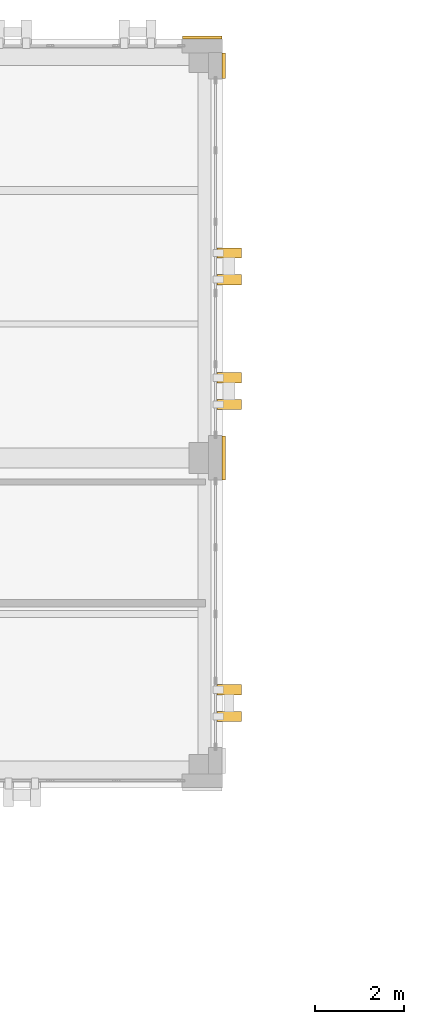
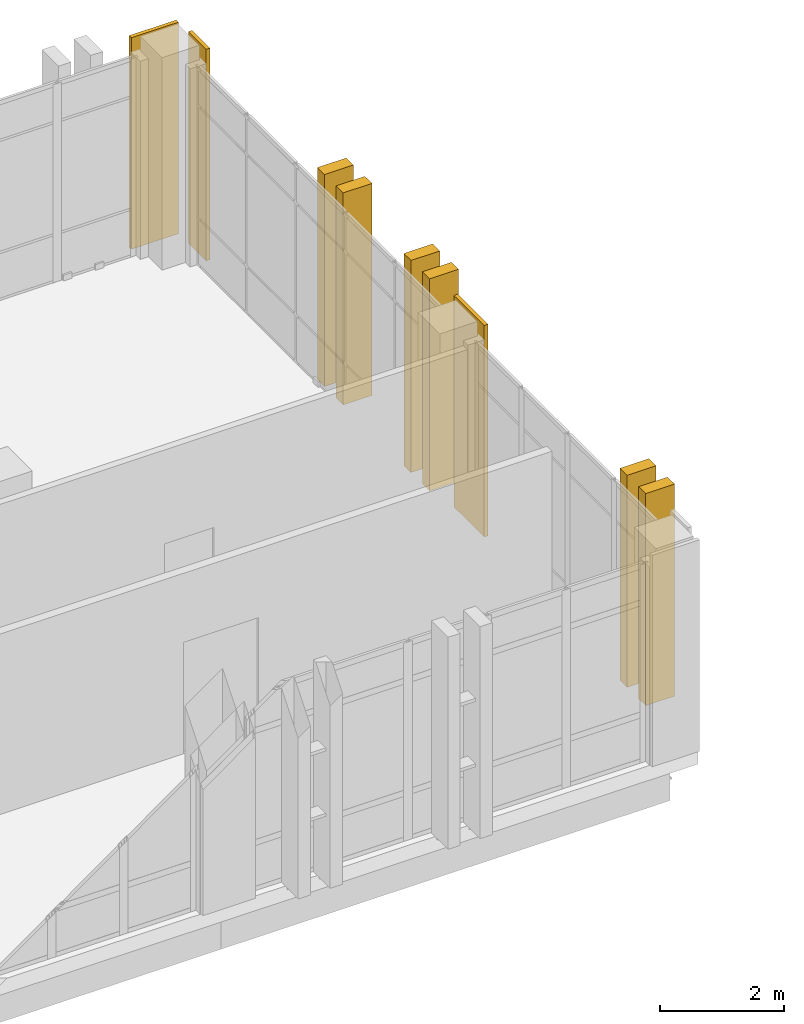
# One storey, part 187 of 193: 9 coverings.
"""IFC4 building model written with IfcOpenShell, lengths in metres."""

from ifc_helpers import new_model, si_unit, direction, frame, origin, origin_2d, place, context, subcontext, project, spatial, rectangle, extrude, material, layer, layer_set, type_object, element, save


model = new_model("IFC4")

# Units and contexts
model_context = context("Model", 3, precision=1e-05, world=origin(), true_north=direction((0.0, 1.0)))
body_context = subcontext(model_context, "Body", "Model", "MODEL_VIEW")
ifc_project = project(units=[si_unit("LENGTHUNIT", "METRE"), si_unit("AREAUNIT", "SQUARE_METRE"), si_unit("VOLUMEUNIT", "CUBIC_METRE"), si_unit("PLANEANGLEUNIT", "RADIAN"), si_unit("MASSUNIT", "GRAM", prefix="KILO")], contexts=[model_context])

# Site, building, storey
site_placement = place(None, origin())
site = spatial("IfcSite", under=ifc_project, at=site_placement, CompositionType="ELEMENT")
building_placement = place(site_placement, origin())
building = spatial("IfcBuilding", under=site, at=building_placement, Name="Qalavern Law Courts", CompositionType="ELEMENT")
storey_placement = place(building_placement, frame((0.0, 0.0, 10.199951171875)))
storey = spatial("IfcBuildingStorey", under=building, at=storey_placement, Name="L02", CompositionType="ELEMENT", Elevation=10.199951171875)

# Coverings
ifc_material = material(Name="Precast concrete C40/50", Category="concrete")
ifc_layer_1 = layer(ifc_material, 0.22998046875)
ifc_layer_set_1 = layer_set([ifc_layer_1], Name="Precast concrete C40/50")
covering_type_1 = type_object("IfcCoveringType", Name="ENV-BLD-2", PredefinedType="CLADDING", material=ifc_layer_set_1)
for number, where, z_axis, x_axis, name in (
    (1, (66.955078125, 97.800048828125, 0.005126953125), (0.0, 0.0, 1.0), (1.0, 0.0, 0.0), "Absheron stone facade blade 0973"),
    (2, (66.955078125, 98.39990234375, 0.005126953125), (0.0, 0.0, 1.0), (1.0, 0.0, 0.0), "Absheron stone facade blade 0974"),
    (3, (66.955078125, 104.800048828125, 0.005126953125), (0.0, 0.0, 1.0), (1.0, 0.0, 0.0), "Absheron stone facade blade 0975"),
    (4, (66.955078125, 105.39990234375, 0.005126953125), (0.0, 0.0, 1.0), (1.0, 0.0, 0.0), "Absheron stone facade blade 0976"),
    (5, (66.955078125, 107.60009765625, 0.005126953125), (0.0, 0.0, 1.0), (1.0, 0.0, 0.0), "Absheron stone facade blade 0977"),
    (6, (66.955078125, 108.199951171875, 0.005126953125), (0.0, 0.0, 1.0), (1.0, 0.0, 0.0), "Absheron stone facade blade 0978"),
):
    element("IfcCovering", number, at=place(storey_placement, frame(where, z_axis=z_axis, x_axis=x_axis)), inside=storey, type_object=covering_type_1, Name=name, PredefinedType="CLADDING", context=body_context, shape_type="SweptSolid", body=[
        extrude(rectangle(XDim=0.5400390625, YDim=0.22998046875, at=origin_2d()), origin(), (0.0, 0.0, 1.0), 4.18994140625),
    ])
ifc_layer_2 = layer(ifc_material, 0.072021484375)
ifc_layer_set_2 = layer_set([ifc_layer_2], Name="Precast concrete C40/50")
covering_type_2 = type_object("IfcCoveringType", Name="ENV-CLD-2", PredefinedType="CLADDING", material=ifc_layer_set_2)
covering_1_placement = place(storey_placement, frame((66.8330078125, 103.60009765625, 0.01025390625), z_axis=(0.0, 0.0, 1.0), x_axis=(0.0, 1.0, 0.0)))
element("IfcCovering", 7, at=covering_1_placement, inside=storey, type_object=covering_type_2, Name="V5 Absheron limestone pier facing L02 east 2", PredefinedType="CLADDING", context=body_context, shape_type="SweptSolid", body=[
    extrude(rectangle(XDim=0.97998046875, YDim=0.072021484375, at=origin_2d()), origin(), (0.0, 0.0, 1.0), 4.179931640625),
])
covering_2_placement = place(storey_placement, frame((66.8330078125, 112.3974609375, 0.01025390625), z_axis=(0.0, 0.0, 1.0), x_axis=(0.0, 1.0, 0.0)))
element("IfcCovering", 8, at=covering_2_placement, inside=storey, type_object=covering_type_2, Name="V5 Absheron limestone pier facing L02 east 3", PredefinedType="CLADDING", context=body_context, shape_type="SweptSolid", body=[
    extrude(rectangle(XDim=0.574951171875, YDim=0.072021484375, at=origin_2d()), origin(), (0.0, 0.0, 1.0), 4.179931640625),
])
covering_3_placement = place(storey_placement, frame((66.35009765625, 113.032958984375, 0.01025390625), z_axis=(0.0, 0.0, 1.0), x_axis=(-1.0, 0.0, 0.0)))
element("IfcCovering", 9, at=covering_3_placement, inside=storey, type_object=covering_type_2, Name="V5 Absheron limestone pier facing L02 north 1", PredefinedType="CLADDING", context=body_context, shape_type="SweptSolid", body=[
    extrude(rectangle(XDim=0.8798828125, YDim=0.072021484375, at=origin_2d()), origin(), (0.0, 0.0, 1.0), 4.179931640625),
])

save(model, "model.ifc")
